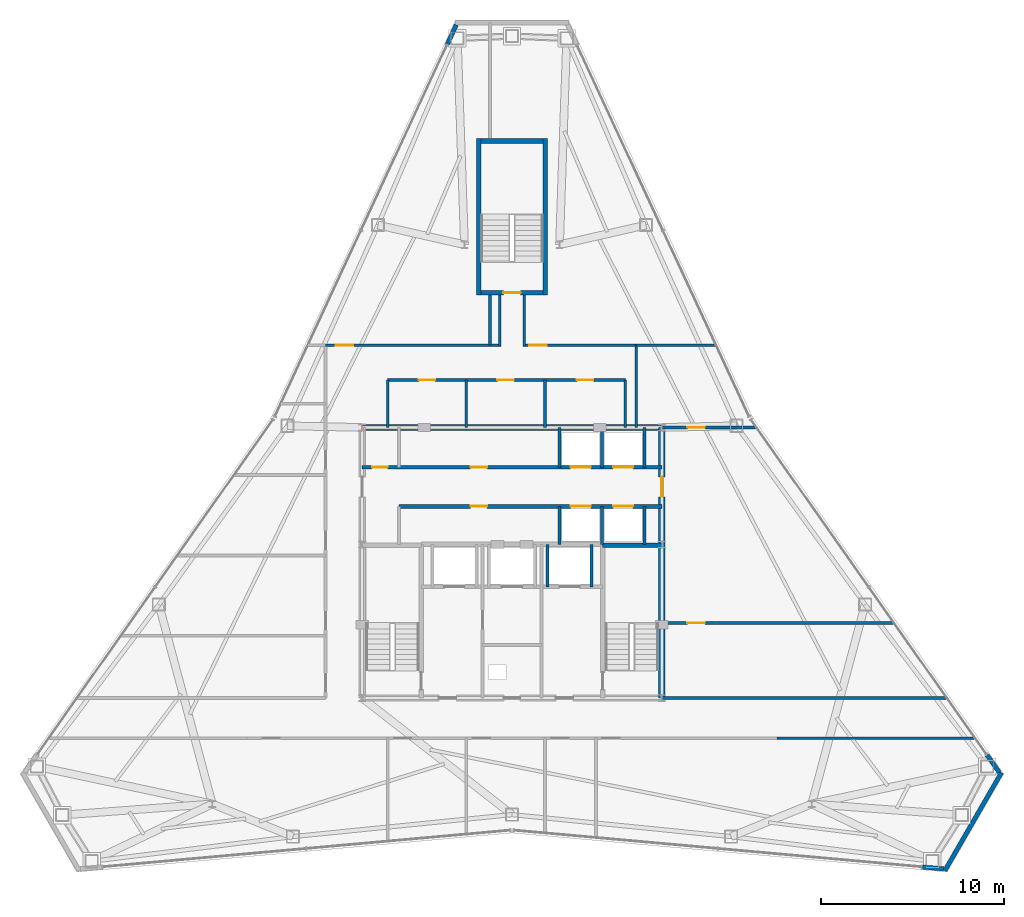
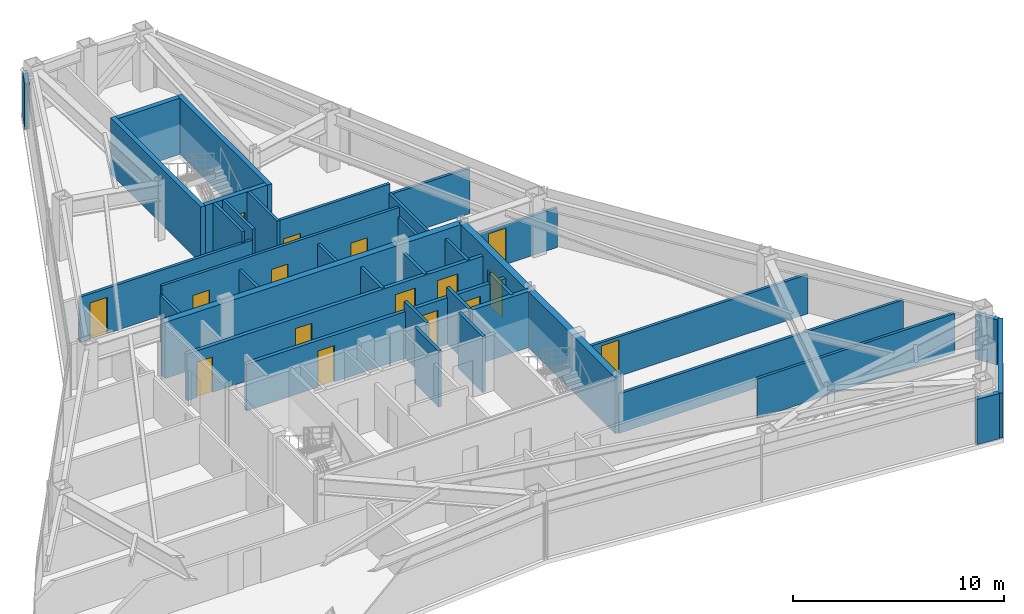
# One storey, part 10 of 12: 37 walls, 16 doors, 16 openings.
"""IFC4 building model written with IfcOpenShell, lengths in metres."""

from ifc_helpers import new_model, si_unit, direction, frame, frame_2d, origin, place, context, subcontext, project, spatial, rectangle, extrude, material, layer, layer_set, type_object, element, fill, save


model = new_model("IFC4")

# Units and contexts
model_context = context("Model", 3, precision=1e-05, world=origin(), true_north=direction((0.0, 1.0)))
body_context = subcontext(model_context, "Body", "Model", "MODEL_VIEW")
ifc_project = project(units=[si_unit("LENGTHUNIT", "METRE"), si_unit("AREAUNIT", "SQUARE_METRE"), si_unit("VOLUMEUNIT", "CUBIC_METRE"), si_unit("PLANEANGLEUNIT", "RADIAN"), si_unit("MASSUNIT", "GRAM", prefix="KILO")], contexts=[model_context])

# Site, building, storey
site_placement = place(None, origin())
site = spatial("IfcSite", under=ifc_project, at=site_placement, CompositionType="ELEMENT")
building_placement = place(site_placement, origin())
building = spatial("IfcBuilding", under=site, at=building_placement, Name="Varakhsha Concourse Tower", CompositionType="ELEMENT")
storey_placement = place(building_placement, frame((0.0, 0.0, 236.39990234375)))
storey = spatial("IfcBuildingStorey", under=building, at=storey_placement, Name="L67", CompositionType="ELEMENT", Elevation=236.39990234375)

# Wall
ifc_material_1 = material(Name="Concrete fc 65 MPa", Category="concrete")
ifc_layer_1 = layer(ifc_material_1, 0.35009765625, Name="WL-CORE-350")
ifc_layer_set_1 = layer_set([ifc_layer_1], Name="Concrete fc 65 MPa")
wall_type_1 = type_object("IfcWallType", Name="WL-CORE-350", PredefinedType="SHEAR", material=ifc_layer_set_1)
wall_1_placement = place(storey_placement, frame((31.800048828125, 31.199951171875, 0.0), z_axis=(0.0, 0.0, 1.0), x_axis=(1.0, 0.0, 0.0)))
element("IfcWall", 1, at=wall_1_placement, inside=storey, type_object=wall_type_1, Name="L67 Wall CWALL-N-L67", PredefinedType="SHEAR", context=body_context, shape_type="SweptSolid", body=[
    extrude(rectangle(XDim=16.39990234375, YDim=0.35009765625, at=frame_2d((8.199951171875, 0.0))), origin(), (0.0, 0.0, 1.0), 3.25),
])

# Wall, opening, door
wall_2_placement = place(storey_placement, frame((48.199951171875, 16.39990234375, 0.0), z_axis=(0.0, 0.0, 1.0), x_axis=(0.0, 1.0, 0.0)))
wall_2 = element("IfcWall", 2, at=wall_2_placement, inside=storey, type_object=wall_type_1, Name="L67 Wall CWALL-E-L67", PredefinedType="SHEAR", context=body_context, shape_type="SweptSolid", body=[
    extrude(rectangle(XDim=14.800048828125, YDim=0.35009765625, at=frame_2d((7.39990234375, 0.0))), origin(), (0.0, 0.0, 1.0), 3.25),
])
opening_1_placement = place(wall_2_placement, frame((11.0, 0.0, 0.0)))
opening_1 = element("IfcOpeningElement", 3, at=opening_1_placement, cuts=wall_2, Name="Opening DL-01", PredefinedType="OPENING", context=body_context, shape_type="SweptSolid", body=[
    extrude(rectangle(XDim=1.10009765625, YDim=2.14990234375, at=frame_2d((0.550048828125, 1.074951171875))), frame((0.0, 0.18505859375, 0.0), z_axis=(0.0, -1.0, 0.0), x_axis=(1.0, 0.0, 0.0)), (0.0, 0.0, 1.0), 0.3701171875),
])
ifc_material_2 = material(Name="Anodised Bronze Architectural Aluminium AA 6063-T6", Category="aluminium")
door_type_1 = type_object("IfcDoorType", Name="DR-LOB-1100", OperationType="NOTDEFINED", PredefinedType="DOOR", material=ifc_material_2)
door_1_placement = place(opening_1_placement, origin())
door_1 = element("IfcDoor", 4, at=door_1_placement, inside=storey, type_object=door_type_1, Name="L67 Lift Lobby East Concourse Door", OperationType="SINGLE_SWING_RIGHT", OverallHeight=2.14990234375, OverallWidth=1.10009765625, PredefinedType="DOOR", context=body_context, shape_type="SweptSolid", body=[
    extrude(rectangle(XDim=1.10009765625, YDim=2.14990234375, at=frame_2d((0.550048828125, 1.074951171875))), frame((0.0, 0.02490234375, 0.0), z_axis=(0.0, -1.0, 0.0), x_axis=(1.0, 0.0, 0.0)), (0.0, 0.0, 1.0), 0.050048828125),
])
fill(opening_1, door_1)

# Walls
ifc_material_3 = material(Name="Concrete fc 45 MPa", Category="concrete")
ifc_layer_2 = layer(ifc_material_3, 0.239990234375, Name="WL-EXT-CRN-240")
ifc_layer_set_2 = layer_set([ifc_layer_2], Name="Concrete fc 45 MPa")
wall_type_2 = type_object("IfcWallType", Name="WL-EXT-CRN-240", PredefinedType="SHEAR", material=ifc_layer_set_2)
for number, where, z_axis, x_axis, name in (
    (5, (36.95263671875, 53.23046875, 0.0), (0.0, 0.0, 1.0), (-0.420502996462, -0.907291149503, 0.0), "L67 Wind-Corner Shoulder Wall F2"),
    (6, (62.45458984375, 7.14990234375, 0.0), (0.0, 0.0, 1.0), (0.996005555759, -0.08929128119, 0.0), "L67 Wind-Corner Shoulder Wall F6"),
):
    element("IfcWall", number, at=place(storey_placement, frame(where, z_axis=z_axis, x_axis=x_axis)), inside=storey, type_object=wall_type_2, Name=name, PredefinedType="SHEAR", context=body_context, shape_type="SweptSolid", body=[
        extrude(rectangle(XDim=1.16748046875, YDim=0.239990234375, at=frame_2d((0.583740234375, 0.0))), origin(), (0.0, 0.0, 1.0), 2.623046875),
    ])
wall_3_placement = place(storey_placement, frame((66.78369140625, 12.31591796875, 0.0), z_axis=(0.0, 0.0, 1.0), x_axis=(-0.500009909098, -0.866019682689, 0.0)))
element("IfcWall", 7, at=wall_3_placement, inside=storey, type_object=wall_type_2, Name="L67 Chamfer Wind-Corner Insulated Wall F7", PredefinedType="SHEAR", context=body_context, shape_type="SweptSolid", body=[
    extrude(rectangle(XDim=6.199951171875, YDim=0.239990234375, at=frame_2d((3.10009765625, 0.0))), origin(), (0.0, 0.0, 1.0), 2.623046875),
])
wall_4_placement = place(storey_placement, frame((66.664794921875, 12.323974609375, 0.0), z_axis=(0.0, 0.0, 1.0), x_axis=(-0.575467507086, 0.817824643972, 0.0)))
element("IfcWall", 8, at=wall_4_placement, inside=storey, type_object=wall_type_2, Name="L67 Wind-Corner Shoulder Wall F8", PredefinedType="SHEAR", context=body_context, shape_type="SweptSolid", body=[
    extrude(rectangle(XDim=1.16748046875, YDim=0.239990234375, at=frame_2d((0.583740234375, 0.0))), origin(), (0.0, 0.0, 1.0), 2.623046875),
])

# Wall, openings, doors
ifc_material_4 = material(Name="Fire-Rated Type X Gypsum Partition Assembly", Category="gypsum")
ifc_layer_3 = layer(ifc_material_4, 0.14990234375, Name="WL-PART-150")
ifc_layer_set_3 = layer_set([ifc_layer_3], Name="Fire-Rated Type X Gypsum Partition Assembly")
wall_type_3 = type_object("IfcWallType", Name="WL-PART-150", PredefinedType="PARTITIONING", material=ifc_layer_set_3)
wall_5_placement = place(storey_placement, frame((33.199951171875, 33.800048828125, 0.0), z_axis=(0.0, 0.0, 1.0), x_axis=(1.0, 0.0, 0.0)))
wall_5 = element("IfcWall", 9, at=wall_5_placement, inside=storey, type_object=wall_type_3, Name="L67 Wall NBOH-N-L67", PredefinedType="PARTITIONING", context=body_context, shape_type="SweptSolid", body=[
    extrude(rectangle(XDim=13.0, YDim=0.14990234375, at=frame_2d((6.5, 0.0))), origin(), (0.0, 0.0, 1.0), 3.25),
])
opening_2_placement = place(wall_5_placement, frame((1.699951171875, 0.0, 0.0)))
opening_2 = element("IfcOpeningElement", 10, at=opening_2_placement, cuts=wall_5, Name="Opening DF-06", PredefinedType="OPENING", context=body_context, shape_type="SweptSolid", body=[
    extrude(rectangle(XDim=0.89990234375, YDim=2.10009765625, at=frame_2d((0.449951171875, 1.050048828125))), frame((0.0, 0.0849609375, 0.0), z_axis=(0.0, -1.0, 0.0), x_axis=(1.0, 0.0, 0.0)), (0.0, 0.0, 1.0), 0.169921875),
])
opening_3_placement = place(wall_5_placement, frame((6.0, 0.0, 0.0)))
opening_3 = element("IfcOpeningElement", 11, at=opening_3_placement, cuts=wall_5, Name="Opening DF-06", PredefinedType="OPENING", context=body_context, shape_type="SweptSolid", body=[
    extrude(rectangle(XDim=0.89990234375, YDim=2.10009765625, at=frame_2d((0.449951171875, 1.050048828125))), frame((0.0, 0.0849609375, 0.0), z_axis=(0.0, -1.0, 0.0), x_axis=(1.0, 0.0, 0.0)), (0.0, 0.0, 1.0), 0.169921875),
])
opening_4_placement = place(wall_5_placement, frame((10.35009765625, 0.0, 0.0)))
opening_4 = element("IfcOpeningElement", 12, at=opening_4_placement, cuts=wall_5, Name="Opening DF-06", PredefinedType="OPENING", context=body_context, shape_type="SweptSolid", body=[
    extrude(rectangle(XDim=0.89990234375, YDim=2.10009765625, at=frame_2d((0.449951171875, 1.050048828125))), frame((0.0, 0.0849609375, 0.0), z_axis=(0.0, -1.0, 0.0), x_axis=(1.0, 0.0, 0.0)), (0.0, 0.0, 1.0), 0.169921875),
])
ifc_material_5 = material(Name="Hollow Galvanised Steel Fire Door Assembly", Category="steel")
door_type_2 = type_object("IfcDoorType", Name="DR-FD60-900", OperationType="NOTDEFINED", PredefinedType="DOOR", material=ifc_material_5)
door_2_placement = place(opening_2_placement, origin())
door_2 = element("IfcDoor", 13, at=door_2_placement, inside=storey, type_object=door_type_2, Name="L67 Men Restroom WC Door", OperationType="SINGLE_SWING_LEFT", OverallHeight=2.10009765625, OverallWidth=0.89990234375, PredefinedType="DOOR", context=body_context, shape_type="SweptSolid", body=[
    extrude(rectangle(XDim=0.89990234375, YDim=2.10009765625, at=frame_2d((0.449951171875, 1.050048828125))), frame((0.0, 0.02490234375, 0.0), z_axis=(0.0, -1.0, 0.0), x_axis=(1.0, 0.0, 0.0)), (0.0, 0.0, 1.0), 0.050048828125),
])
fill(opening_2, door_2)
door_3_placement = place(opening_3_placement, origin())
door_3 = element("IfcDoor", 14, at=door_3_placement, inside=storey, type_object=door_type_2, Name="L67 Women Restroom WC Door", OperationType="SINGLE_SWING_RIGHT", OverallHeight=2.10009765625, OverallWidth=0.89990234375, PredefinedType="DOOR", context=body_context, shape_type="SweptSolid", body=[
    extrude(rectangle(XDim=0.89990234375, YDim=2.10009765625, at=frame_2d((0.449951171875, 1.050048828125))), frame((0.0, 0.02490234375, 0.0), z_axis=(0.0, -1.0, 0.0), x_axis=(1.0, 0.0, 0.0)), (0.0, 0.0, 1.0), 0.050048828125),
])
fill(opening_3, door_3)
door_4_placement = place(opening_4_placement, origin())
door_4 = element("IfcDoor", 15, at=door_4_placement, inside=storey, type_object=door_type_2, Name="L67 Accessible WC Door", OperationType="SINGLE_SWING_LEFT", OverallHeight=2.10009765625, OverallWidth=0.89990234375, PredefinedType="DOOR", context=body_context, shape_type="SweptSolid", body=[
    extrude(rectangle(XDim=0.89990234375, YDim=2.10009765625, at=frame_2d((0.449951171875, 1.050048828125))), frame((0.0, 0.02490234375, 0.0), z_axis=(0.0, -1.0, 0.0), x_axis=(1.0, 0.0, 0.0)), (0.0, 0.0, 1.0), 0.050048828125),
])
fill(opening_4, door_4)

# Walls
for number, where, z_axis, x_axis, name in (
    (16, (33.199951171875, 31.199951171875, 0.0), (0.0, 0.0, 1.0), (0.0, 1.0, 0.0), "L67 Wall NBOH-W-L67"),
    (17, (46.199951171875, 31.199951171875, 0.0), (0.0, 0.0, 1.0), (0.0, 1.0, 0.0), "L67 Wall NBOH-E-L67"),
    (18, (37.5, 31.199951171875, 0.0), (0.0, 0.0, 1.0), (0.0, 1.0, 0.0), "L67 Wall NBOH-D1-L67"),
    (19, (41.800048828125, 31.199951171875, 0.0), (0.0, 0.0, 1.0), (0.0, 1.0, 0.0), "L67 Wall NBOH-D2-L67"),
):
    element("IfcWall", number, at=place(storey_placement, frame(where, z_axis=z_axis, x_axis=x_axis)), inside=storey, type_object=wall_type_3, Name=name, PredefinedType="PARTITIONING", context=body_context, shape_type="SweptSolid", body=[
        extrude(rectangle(XDim=2.60009765625, YDim=0.14990234375, at=frame_2d((1.300048828125, 0.0))), origin(), (0.0, 0.0, 1.0), 2.705078125),
    ])
wall_6_placement = place(storey_placement, frame((54.5, 14.199951171875, 0.0), z_axis=(0.0, 0.0, 1.0), x_axis=(1.0, 0.0, 0.0)))
element("IfcWall", 20, at=wall_6_placement, inside=storey, type_object=wall_type_3, Name="L67 Wall CRW-SGAL-SE-L67", PredefinedType="PARTITIONING", context=body_context, shape_type="SweptSolid", body=[
    extrude(rectangle(XDim=10.838623046875, YDim=0.14990234375, at=frame_2d((5.41943359375, 0.0))), origin(), (0.0, 0.0, 1.0), 2.2919921875),
])
wall_7_placement = place(storey_placement, frame((48.199951171875, 16.39990234375, 0.0), z_axis=(0.0, 0.0, 1.0), x_axis=(1.0, 0.0, 0.0)))
element("IfcWall", 21, at=wall_7_placement, inside=storey, type_object=wall_type_3, Name="L67 Wall CRW-SGAL-NE-L67", PredefinedType="PARTITIONING", context=body_context, shape_type="SweptSolid", body=[
    extrude(rectangle(XDim=15.590576171875, YDim=0.14990234375, at=frame_2d((7.79541015625, 0.0))), origin(), (0.0, 0.0, 1.0), 2.2919921875),
])

# Wall, opening, door
wall_8_placement = place(storey_placement, frame((29.800048828125, 35.699951171875, 0.0), z_axis=(0.0, 0.0, 1.0), x_axis=(1.0, 0.0, 0.0)))
wall_8 = element("IfcWall", 22, at=wall_8_placement, inside=storey, type_object=wall_type_3, Name="L67 Wall CRW-N-L67", PredefinedType="PARTITIONING", context=body_context, shape_type="SweptSolid", body=[
    extrude(rectangle(XDim=9.449951171875, YDim=0.14990234375, at=frame_2d((4.72509765625, 0.0))), origin(), (0.0, 0.0, 1.0), 2.628173828125),
])
opening_5_placement = place(wall_8_placement, frame((0.550048828125, 0.0, 0.0)))
opening_5 = element("IfcOpeningElement", 23, at=opening_5_placement, cuts=wall_8, Name="Opening DF-05", PredefinedType="OPENING", context=body_context, shape_type="SweptSolid", body=[
    extrude(rectangle(XDim=0.949951171875, YDim=2.10009765625, at=frame_2d((0.47509765625, 1.050048828125))), frame((0.0, 0.0849609375, 0.0), z_axis=(0.0, -1.0, 0.0), x_axis=(1.0, 0.0, 0.0)), (0.0, 0.0, 1.0), 0.169921875),
])
door_type_3 = type_object("IfcDoorType", Name="DR-FD60-950", OperationType="NOTDEFINED", PredefinedType="DOOR", material=ifc_material_5)
door_5_placement = place(opening_5_placement, origin())
door_5 = element("IfcDoor", 24, at=door_5_placement, inside=storey, type_object=door_type_3, Name="L67 Mountain View Deposition Conference Room L67-N1 Door", OperationType="SINGLE_SWING_LEFT", OverallHeight=2.10009765625, OverallWidth=0.949951171875, PredefinedType="DOOR", context=body_context, shape_type="SweptSolid", body=[
    extrude(rectangle(XDim=0.949951171875, YDim=2.10009765625, at=frame_2d((0.47509765625, 1.050048828125))), frame((0.0, 0.02490234375, 0.0), z_axis=(0.0, -1.0, 0.0), x_axis=(1.0, 0.0, 0.0)), (0.0, 0.0, 1.0), 0.050048828125),
])
fill(opening_5, door_5)

wall_9_placement = place(storey_placement, frame((40.75, 35.699951171875, 0.0), z_axis=(0.0, 0.0, 1.0), x_axis=(1.0, 0.0, 0.0)))
wall_9 = element("IfcWall", 25, at=wall_9_placement, inside=storey, type_object=wall_type_3, Name="L67 Wall CRW-N-L67-B", PredefinedType="PARTITIONING", context=body_context, shape_type="SweptSolid", body=[
    extrude(rectangle(XDim=6.050048828125, YDim=0.14990234375, at=frame_2d((3.02490234375, 0.0))), origin(), (0.0, 0.0, 1.0), 3.25),
])
opening_6_placement = place(wall_9_placement, frame((0.199951171875, 0.0, 0.0)))
opening_6 = element("IfcOpeningElement", 26, at=opening_6_placement, cuts=wall_9, Name="Opening DF-05", PredefinedType="OPENING", context=body_context, shape_type="SweptSolid", body=[
    extrude(rectangle(XDim=0.949951171875, YDim=2.10009765625, at=frame_2d((0.47509765625, 1.050048828125))), frame((0.0, 0.0849609375, 0.0), z_axis=(0.0, -1.0, 0.0), x_axis=(1.0, 0.0, 0.0)), (0.0, 0.0, 1.0), 0.169921875),
])
door_6_placement = place(opening_6_placement, origin())
door_6 = element("IfcDoor", 27, at=door_6_placement, inside=storey, type_object=door_type_3, Name="L67 North Senior Partner Chamber L67-N2 Door", OperationType="SINGLE_SWING_RIGHT", OverallHeight=2.10009765625, OverallWidth=0.949951171875, PredefinedType="DOOR", context=body_context, shape_type="SweptSolid", body=[
    extrude(rectangle(XDim=0.949951171875, YDim=2.10009765625, at=frame_2d((0.47509765625, 1.050048828125))), frame((0.0, 0.02490234375, 0.0), z_axis=(0.0, -1.0, 0.0), x_axis=(1.0, 0.0, 0.0)), (0.0, 0.0, 1.0), 0.050048828125),
])
fill(opening_6, door_6)

# Walls
wall_10_placement = place(storey_placement, frame((46.800048828125, 31.199951171875, 0.0), z_axis=(0.0, 0.0, 1.0), x_axis=(0.0, 1.0, 0.0)))
element("IfcWall", 28, at=wall_10_placement, inside=storey, type_object=wall_type_3, Name="L67 Wall CRW-NE-L67", PredefinedType="PARTITIONING", context=body_context, shape_type="SweptSolid", body=[
    extrude(rectangle(XDim=4.5, YDim=0.14990234375, at=frame_2d((2.25, 0.0))), origin(), (0.0, 0.0, 1.0), 2.705078125),
])
wall_11_placement = place(storey_placement, frame((46.800048828125, 35.699951171875, 0.0), z_axis=(0.0, 0.0, 1.0), x_axis=(1.0, 0.0, 0.0)))
element("IfcWall", 29, at=wall_11_placement, inside=storey, type_object=wall_type_3, Name="L67 Wall ODIV-EBN-L67", PredefinedType="PARTITIONING", context=body_context, shape_type="SweptSolid", body=[
    extrude(rectangle(XDim=4.36767578125, YDim=0.14990234375, at=frame_2d((2.183837890625, 0.0))), origin(), (0.0, 0.0, 1.0), 2.628173828125),
])

# Wall, opening, door
wall_12_placement = place(storey_placement, frame((48.199951171875, 20.5, 0.0), z_axis=(0.0, 0.0, 1.0), x_axis=(1.0, 0.0, 0.0)))
wall_12 = element("IfcWall", 30, at=wall_12_placement, inside=storey, type_object=wall_type_3, Name="L67 Wall ODIV-E1-L67", PredefinedType="PARTITIONING", context=body_context, shape_type="SweptSolid", body=[
    extrude(rectangle(XDim=12.705810546875, YDim=0.14990234375, at=frame_2d((6.35302734375, 0.0))), origin(), (0.0, 0.0, 1.0), 2.2919921875),
])
opening_7_placement = place(wall_12_placement, frame((1.39990234375, 0.0, 0.0)))
opening_7 = element("IfcOpeningElement", 31, at=opening_7_placement, cuts=wall_12, Name="Opening DF-05", PredefinedType="OPENING", context=body_context, shape_type="SweptSolid", body=[
    extrude(rectangle(XDim=0.949951171875, YDim=2.10009765625, at=frame_2d((0.47509765625, 1.050048828125))), frame((0.0, 0.0849609375, 0.0), z_axis=(0.0, -1.0, 0.0), x_axis=(1.0, 0.0, 0.0)), (0.0, 0.0, 1.0), 0.169921875),
])
door_7_placement = place(opening_7_placement, origin())
door_7 = element("IfcDoor", 32, at=door_7_placement, inside=storey, type_object=door_type_3, Name="L67 East Suite Interconnect Door 1", OperationType="SINGLE_SWING_LEFT", OverallHeight=2.10009765625, OverallWidth=0.949951171875, PredefinedType="DOOR", context=body_context, shape_type="SweptSolid", body=[
    extrude(rectangle(XDim=0.949951171875, YDim=2.10009765625, at=frame_2d((0.47509765625, 1.050048828125))), frame((0.0, 0.02490234375, 0.0), z_axis=(0.0, -1.0, 0.0), x_axis=(1.0, 0.0, 0.0)), (0.0, 0.0, 1.0), 0.050048828125),
])
fill(opening_7, door_7)

wall_13_placement = place(storey_placement, frame((48.199951171875, 31.199951171875, 0.0), z_axis=(0.0, 0.0, 1.0), x_axis=(1.0, 0.0, 0.0)))
wall_13 = element("IfcWall", 33, at=wall_13_placement, inside=storey, type_object=wall_type_3, Name="L67 Wall ODIV-E2-L67", PredefinedType="PARTITIONING", context=body_context, shape_type="SweptSolid", body=[
    extrude(rectangle(XDim=5.17724609375, YDim=0.14990234375, at=frame_2d((2.588623046875, 0.0))), origin(), (0.0, 0.0, 1.0), 2.2919921875),
])
opening_8_placement = place(wall_13_placement, frame((1.39990234375, 0.0, 0.0)))
opening_8 = element("IfcOpeningElement", 34, at=opening_8_placement, cuts=wall_13, Name="Opening DF-05", PredefinedType="OPENING", context=body_context, shape_type="SweptSolid", body=[
    extrude(rectangle(XDim=0.949951171875, YDim=2.10009765625, at=frame_2d((0.47509765625, 1.050048828125))), frame((0.0, 0.0849609375, 0.0), z_axis=(0.0, -1.0, 0.0), x_axis=(1.0, 0.0, 0.0)), (0.0, 0.0, 1.0), 0.169921875),
])
door_8_placement = place(opening_8_placement, origin())
door_8 = element("IfcDoor", 35, at=door_8_placement, inside=storey, type_object=door_type_3, Name="L67 East Suite Interconnect Door 2", OperationType="SINGLE_SWING_RIGHT", OverallHeight=2.10009765625, OverallWidth=0.949951171875, PredefinedType="DOOR", context=body_context, shape_type="SweptSolid", body=[
    extrude(rectangle(XDim=0.949951171875, YDim=2.10009765625, at=frame_2d((0.47509765625, 1.050048828125))), frame((0.0, 0.02490234375, 0.0), z_axis=(0.0, -1.0, 0.0), x_axis=(1.0, 0.0, 0.0)), (0.0, 0.0, 1.0), 0.050048828125),
])
fill(opening_8, door_8)

# Walls
wall_14_placement = place(storey_placement, frame((38.800048828125, 35.699951171875, 0.0), z_axis=(0.0, 0.0, 1.0), x_axis=(0.0, 1.0, 0.0)))
element("IfcWall", 36, at=wall_14_placement, inside=storey, type_object=wall_type_3, Name="L67 Wall ODIV-N1-L67", PredefinedType="PARTITIONING", context=body_context, shape_type="SweptSolid", body=[
    extrude(rectangle(XDim=2.75, YDim=0.14990234375, at=frame_2d((1.375, 0.0))), origin(), (0.0, 0.0, 1.0), 3.25),
])
for number, where, z_axis, x_axis, name in (
    (37, (39.324951171875, 35.625, 0.0), (0.0, 0.0, 1.0), (0.0, 1.0, 0.0), "L67 Wall STUB-W-L67"),
    (38, (40.675048828125, 35.625, 0.0), (0.0, 0.0, 1.0), (0.0, 1.0, 0.0), "L67 Wall STUB-E-L67"),
):
    element("IfcWall", number, at=place(storey_placement, frame(where, z_axis=z_axis, x_axis=x_axis)), inside=storey, type_object=wall_type_3, Name=name, PredefinedType="PARTITIONING", context=body_context, shape_type="SweptSolid", body=[
        extrude(rectangle(XDim=2.824951171875, YDim=0.14990234375, at=frame_2d((1.41259765625, 0.0))), origin(), (0.0, 0.0, 1.0), 3.25),
    ])
ifc_layer_4 = layer(ifc_material_4, 0.199951171875, Name="WL-SHAFT-220")
ifc_layer_set_4 = layer_set([ifc_layer_4], Name="Fire-Rated Type X Gypsum Partition Assembly")
wall_type_4 = type_object("IfcWallType", Name="WL-SHAFT-220", PredefinedType="SOLIDWALL", material=ifc_layer_set_4)
for number, where, z_axis, x_axis, name in (
    (39, (41.949951171875, 22.47998046875, 0.0), (0.0, 0.0, 1.0), (0.0, 1.0, 0.0), "L67 Wall SHW-FFL-2-W-L67"),
    (40, (44.35009765625, 22.47998046875, 0.0), (0.0, 0.0, 1.0), (0.0, 1.0, 0.0), "L67 Wall SHW-FFL-2-E-L67"),
):
    element("IfcWall", number, at=place(storey_placement, frame(where, z_axis=z_axis, x_axis=x_axis)), inside=storey, type_object=wall_type_4, Name=name, PredefinedType="SOLIDWALL", context=body_context, shape_type="SweptSolid", body=[
        extrude(rectangle(XDim=2.320068359375, YDim=0.159912109375, at=frame_2d((1.16015625, 0.0))), origin(), (0.0, 0.0, 1.0), 3.25),
    ])

# Wall, openings, doors
wall_15_placement = place(storey_placement, frame((31.800048828125, 29.02001953125, 0.0), z_axis=(0.0, 0.0, 1.0), x_axis=(1.0, 0.0, 0.0)))
wall_15 = element("IfcWall", 41, at=wall_15_placement, inside=storey, type_object=wall_type_4, Name="L67 Wall PLW-N-L67", PredefinedType="SOLIDWALL", context=body_context, shape_type="SweptSolid", body=[
    extrude(rectangle(XDim=16.39990234375, YDim=0.199951171875, at=frame_2d((8.199951171875, 0.0))), origin(), (0.0, 0.0, 1.0), 2.705078125),
])
opening_9_placement = place(wall_15_placement, frame((0.550048828125, 0.0, 0.0)))
opening_9 = element("IfcOpeningElement", 42, at=opening_9_placement, cuts=wall_15, Name="Opening DF-07", PredefinedType="OPENING", context=body_context, shape_type="SweptSolid", body=[
    extrude(rectangle(XDim=0.85009765625, YDim=2.050048828125, at=frame_2d((0.425048828125, 1.02490234375))), frame((0.0, 0.10986328125, 0.0), z_axis=(0.0, -1.0, 0.0), x_axis=(1.0, 0.0, 0.0)), (0.0, 0.0, 1.0), 0.219970703125),
])
opening_10_placement = place(wall_15_placement, frame((5.93994140625, 0.0, 0.0)))
opening_10 = element("IfcOpeningElement", 43, at=opening_10_placement, cuts=wall_15, Name="Opening DF-06", PredefinedType="OPENING", context=body_context, shape_type="SweptSolid", body=[
    extrude(rectangle(XDim=0.89990234375, YDim=2.10009765625, at=frame_2d((0.449951171875, 1.050048828125))), frame((0.0, 0.10986328125, 0.0), z_axis=(0.0, -1.0, 0.0), x_axis=(1.0, 0.0, 0.0)), (0.0, 0.0, 1.0), 0.219970703125),
])
opening_11_placement = place(wall_15_placement, frame((11.409912109375, 0.0, 0.0)))
opening_11 = element("IfcOpeningElement", 44, at=opening_11_placement, cuts=wall_15, Name="Opening LD-LF-P09", PredefinedType="OPENING", context=body_context, shape_type="SweptSolid", body=[
    extrude(rectangle(XDim=1.10009765625, YDim=2.14990234375, at=frame_2d((0.550048828125, 1.074951171875))), frame((0.0, 0.10986328125, 0.0), z_axis=(0.0, -1.0, 0.0), x_axis=(1.0, 0.0, 0.0)), (0.0, 0.0, 1.0), 0.219970703125),
])
opening_12_placement = place(wall_15_placement, frame((13.72998046875, 0.0, 0.0)))
opening_12 = element("IfcOpeningElement", 45, at=opening_12_placement, cuts=wall_15, Name="Opening LD-LF-P10", PredefinedType="OPENING", context=body_context, shape_type="SweptSolid", body=[
    extrude(rectangle(XDim=1.10009765625, YDim=2.14990234375, at=frame_2d((0.550048828125, 1.074951171875))), frame((0.0, 0.10986328125, 0.0), z_axis=(0.0, -1.0, 0.0), x_axis=(1.0, 0.0, 0.0)), (0.0, 0.0, 1.0), 0.219970703125),
])
door_type_4 = type_object("IfcDoorType", Name="DR-FD60-850", OperationType="NOTDEFINED", PredefinedType="DOOR", material=ifc_material_5)
door_9_placement = place(opening_9_placement, origin())
door_9 = element("IfcDoor", 46, at=door_9_placement, inside=storey, type_object=door_type_4, Name="L67 Core Janitor Closet Door", OperationType="SINGLE_SWING_LEFT", OverallHeight=2.050048828125, OverallWidth=0.85009765625, PredefinedType="DOOR", context=body_context, shape_type="SweptSolid", body=[
    extrude(rectangle(XDim=0.85009765625, YDim=2.050048828125, at=frame_2d((0.425048828125, 1.02490234375))), frame((0.0, 0.02490234375, 0.0), z_axis=(0.0, -1.0, 0.0), x_axis=(1.0, 0.0, 0.0)), (0.0, 0.0, 1.0), 0.050048828125),
])
fill(opening_9, door_9)
door_10_placement = place(opening_10_placement, origin())
door_10 = element("IfcDoor", 47, at=door_10_placement, inside=storey, type_object=door_type_2, Name="L67 Tenant Archive and IT Server Room Door", OperationType="SINGLE_SWING_LEFT", OverallHeight=2.10009765625, OverallWidth=0.89990234375, PredefinedType="DOOR", context=body_context, shape_type="SweptSolid", body=[
    extrude(rectangle(XDim=0.89990234375, YDim=2.10009765625, at=frame_2d((0.449951171875, 1.050048828125))), frame((0.0, 0.02490234375, 0.0), z_axis=(0.0, -1.0, 0.0), x_axis=(1.0, 0.0, 0.0)), (0.0, 0.0, 1.0), 0.050048828125),
])
fill(opening_10, door_10)
ifc_material_6 = material(Name="Brushed Austenitic Stainless Steel AISI 316", Category="steel")
door_type_5 = type_object("IfcDoorType", Name="DR-LD-1100", OperationType="DOUBLE_DOOR_SLIDING", PredefinedType="DOOR", material=ifc_material_6)
door_11_placement = place(opening_11_placement, origin())
door_11 = element("IfcDoor", 48, at=door_11_placement, inside=storey, type_object=door_type_5, Name="Lift Landing Door LF-P09 L67", OperationType="DOUBLE_DOOR_SLIDING", OverallHeight=2.14990234375, OverallWidth=1.10009765625, PredefinedType="DOOR", context=body_context, shape_type="SweptSolid", body=[
    extrude(rectangle(XDim=1.10009765625, YDim=2.14990234375, at=frame_2d((0.550048828125, 1.074951171875))), frame((0.0, 0.02490234375, 0.0), z_axis=(0.0, -1.0, 0.0), x_axis=(1.0, 0.0, 0.0)), (0.0, 0.0, 1.0), 0.050048828125),
])
fill(opening_11, door_11)
door_12_placement = place(opening_12_placement, origin())
door_12 = element("IfcDoor", 49, at=door_12_placement, inside=storey, type_object=door_type_5, Name="Lift Landing Door LF-P10 L67", OperationType="DOUBLE_DOOR_SLIDING", OverallHeight=2.14990234375, OverallWidth=1.10009765625, PredefinedType="DOOR", context=body_context, shape_type="SweptSolid", body=[
    extrude(rectangle(XDim=1.10009765625, YDim=2.14990234375, at=frame_2d((0.550048828125, 1.074951171875))), frame((0.0, 0.02490234375, 0.0), z_axis=(0.0, -1.0, 0.0), x_axis=(1.0, 0.0, 0.0)), (0.0, 0.0, 1.0), 0.050048828125),
])
fill(opening_12, door_12)

wall_16_placement = place(storey_placement, frame((33.820068359375, 26.8798828125, 0.0), z_axis=(0.0, 0.0, 1.0), x_axis=(1.0, 0.0, 0.0)))
wall_16 = element("IfcWall", 50, at=wall_16_placement, inside=storey, type_object=wall_type_4, Name="L67 Wall PLW-S-L67", PredefinedType="SOLIDWALL", context=body_context, shape_type="SweptSolid", body=[
    extrude(rectangle(XDim=14.3798828125, YDim=0.199951171875, at=frame_2d((7.18994140625, 0.0))), origin(), (0.0, 0.0, 1.0), 2.705078125),
])
opening_13_placement = place(wall_16_placement, frame((3.919921875, 0.0, 0.0)))
opening_13 = element("IfcOpeningElement", 51, at=opening_13_placement, cuts=wall_16, Name="Opening DF-06", PredefinedType="OPENING", context=body_context, shape_type="SweptSolid", body=[
    extrude(rectangle(XDim=0.89990234375, YDim=2.10009765625, at=frame_2d((0.449951171875, 1.050048828125))), frame((0.0, 0.10986328125, 0.0), z_axis=(0.0, -1.0, 0.0), x_axis=(1.0, 0.0, 0.0)), (0.0, 0.0, 1.0), 0.219970703125),
])
opening_14_placement = place(wall_16_placement, frame((9.389892578125, 0.0, 0.0)))
opening_14 = element("IfcOpeningElement", 52, at=opening_14_placement, cuts=wall_16, Name="Opening LD-LF-P11", PredefinedType="OPENING", context=body_context, shape_type="SweptSolid", body=[
    extrude(rectangle(XDim=1.10009765625, YDim=2.14990234375, at=frame_2d((0.550048828125, 1.074951171875))), frame((0.0, 0.10986328125, 0.0), z_axis=(0.0, -1.0, 0.0), x_axis=(1.0, 0.0, 0.0)), (0.0, 0.0, 1.0), 0.219970703125),
])
opening_15_placement = place(wall_16_placement, frame((11.7099609375, 0.0, 0.0)))
opening_15 = element("IfcOpeningElement", 53, at=opening_15_placement, cuts=wall_16, Name="Opening LD-LF-P12", PredefinedType="OPENING", context=body_context, shape_type="SweptSolid", body=[
    extrude(rectangle(XDim=1.10009765625, YDim=2.14990234375, at=frame_2d((0.550048828125, 1.074951171875))), frame((0.0, 0.10986328125, 0.0), z_axis=(0.0, -1.0, 0.0), x_axis=(1.0, 0.0, 0.0)), (0.0, 0.0, 1.0), 0.219970703125),
])
door_13_placement = place(opening_13_placement, origin())
door_13 = element("IfcDoor", 54, at=door_13_placement, inside=storey, type_object=door_type_2, Name="L67 Executive Pantry and Copy Suite Door", OperationType="SINGLE_SWING_RIGHT", OverallHeight=2.10009765625, OverallWidth=0.89990234375, PredefinedType="DOOR", context=body_context, shape_type="SweptSolid", body=[
    extrude(rectangle(XDim=0.89990234375, YDim=2.10009765625, at=frame_2d((0.449951171875, 1.050048828125))), frame((0.0, 0.02490234375, 0.0), z_axis=(0.0, -1.0, 0.0), x_axis=(1.0, 0.0, 0.0)), (0.0, 0.0, 1.0), 0.050048828125),
])
fill(opening_13, door_13)
door_14_placement = place(opening_14_placement, origin())
door_14 = element("IfcDoor", 55, at=door_14_placement, inside=storey, type_object=door_type_5, Name="Lift Landing Door LF-P11 L67", OperationType="DOUBLE_DOOR_SLIDING", OverallHeight=2.14990234375, OverallWidth=1.10009765625, PredefinedType="DOOR", context=body_context, shape_type="SweptSolid", body=[
    extrude(rectangle(XDim=1.10009765625, YDim=2.14990234375, at=frame_2d((0.550048828125, 1.074951171875))), frame((0.0, 0.02490234375, 0.0), z_axis=(0.0, -1.0, 0.0), x_axis=(1.0, 0.0, 0.0)), (0.0, 0.0, 1.0), 0.050048828125),
])
fill(opening_14, door_14)
door_15_placement = place(opening_15_placement, origin())
door_15 = element("IfcDoor", 56, at=door_15_placement, inside=storey, type_object=door_type_5, Name="Lift Landing Door LF-P12 L67", OperationType="DOUBLE_DOOR_SLIDING", OverallHeight=2.14990234375, OverallWidth=1.10009765625, PredefinedType="DOOR", context=body_context, shape_type="SweptSolid", body=[
    extrude(rectangle(XDim=1.10009765625, YDim=2.14990234375, at=frame_2d((0.550048828125, 1.074951171875))), frame((0.0, 0.02490234375, 0.0), z_axis=(0.0, -1.0, 0.0), x_axis=(1.0, 0.0, 0.0)), (0.0, 0.0, 1.0), 0.050048828125),
])
fill(opening_15, door_15)

# Walls
for number, where, z_axis, x_axis, name in (
    (57, (42.60009765625, 29.02001953125, 0.0), (0.0, 0.0, 1.0), (0.0, 1.0, 0.0), "L67 Wall SHW-LF-P09-W-L67"),
    (58, (44.919921875, 29.02001953125, 0.0), (0.0, 0.0, 1.0), (0.0, 1.0, 0.0), "L67 Wall SHW-LF-P09-E-L67"),
    (59, (47.239990234375, 29.02001953125, 0.0), (0.0, 0.0, 1.0), (0.0, 1.0, 0.0), "L67 Wall SHW-LF-P10-E-L67"),
):
    element("IfcWall", number, at=place(storey_placement, frame(where, z_axis=z_axis, x_axis=x_axis)), inside=storey, type_object=wall_type_4, Name=name, PredefinedType="SOLIDWALL", context=body_context, shape_type="SweptSolid", body=[
        extrude(rectangle(XDim=2.179931640625, YDim=0.159912109375, at=frame_2d((1.08984375, 0.0))), origin(), (0.0, 0.0, 1.0), 2.705078125),
    ])
for number, where, z_axis, x_axis, name in (
    (60, (42.60009765625, 24.800048828125, 0.0), (0.0, 0.0, 1.0), (0.0, 1.0, 0.0), "L67 Wall SHW-LF-P11-W-L67"),
    (61, (44.919921875, 24.800048828125, 0.0), (0.0, 0.0, 1.0), (0.0, 1.0, 0.0), "L67 Wall SHW-LF-P11-E-L67"),
    (62, (47.239990234375, 24.800048828125, 0.0), (0.0, 0.0, 1.0), (0.0, 1.0, 0.0), "L67 Wall SHW-LF-P12-E-L67"),
):
    element("IfcWall", number, at=place(storey_placement, frame(where, z_axis=z_axis, x_axis=x_axis)), inside=storey, type_object=wall_type_4, Name=name, PredefinedType="SOLIDWALL", context=body_context, shape_type="SweptSolid", body=[
        extrude(rectangle(XDim=2.079833984375, YDim=0.159912109375, at=frame_2d((1.0400390625, 0.0))), origin(), (0.0, 0.0, 1.0), 3.25),
    ])
ifc_layer_5 = layer(ifc_material_3, 0.25, Name="WL-STAIR-250")
ifc_layer_set_5 = layer_set([ifc_layer_5], Name="Concrete fc 45 MPa")
wall_type_5 = type_object("IfcWallType", Name="WL-STAIR-250", PredefinedType="SHEAR", material=ifc_layer_set_5)
wall_17_placement = place(storey_placement, frame((44.955078125, 24.7548828125, 0.0), z_axis=(0.0, 0.0, 1.0), x_axis=(1.0, 0.0, 0.0)))
element("IfcWall", 63, at=wall_17_placement, inside=storey, type_object=wall_type_5, Name="L67 Wall SWALL-ST2-N-L67", PredefinedType="SHEAR", context=body_context, shape_type="SweptSolid", body=[
    extrude(rectangle(XDim=3.244873046875, YDim=0.25, at=frame_2d((1.62255859375, 0.0))), origin(), (0.0, 0.0, 1.0), 3.25),
])
for number, where, z_axis, x_axis, name in (
    (64, (38.175048828125, 38.449951171875, 0.0), (0.0, 0.0, 1.0), (0.0, 1.0, 0.0), "L67 Wall SWALL-ST5-W-L67"),
    (65, (41.824951171875, 38.449951171875, 0.0), (0.0, 0.0, 1.0), (0.0, 1.0, 0.0), "L67 Wall SWALL-ST5-E-L67"),
):
    element("IfcWall", number, at=place(storey_placement, frame(where, z_axis=z_axis, x_axis=x_axis)), inside=storey, type_object=wall_type_5, Name=name, PredefinedType="SHEAR", context=body_context, shape_type="SweptSolid", body=[
        extrude(rectangle(XDim=8.550048828125, YDim=0.25, at=frame_2d((4.27490234375, 0.0))), origin(), (0.0, 0.0, 1.0), 3.25),
    ])

# Wall, opening, door
wall_18_placement = place(storey_placement, frame((38.300048828125, 38.574951171875, 0.0), z_axis=(0.0, 0.0, 1.0), x_axis=(1.0, 0.0, 0.0)))
wall_18 = element("IfcWall", 66, at=wall_18_placement, inside=storey, type_object=wall_type_5, Name="L67 Wall SWALL-ST5-S-L67", PredefinedType="SHEAR", context=body_context, shape_type="SweptSolid", body=[
    extrude(rectangle(XDim=3.39990234375, YDim=0.25, at=frame_2d((1.699951171875, 0.0))), origin(), (0.0, 0.0, 1.0), 3.25),
])
opening_16_placement = place(wall_18_placement, frame((1.22509765625, 0.0, 0.0)))
opening_16 = element("IfcOpeningElement", 67, at=opening_16_placement, cuts=wall_18, Name="Opening DF-03", PredefinedType="OPENING", context=body_context, shape_type="SweptSolid", body=[
    extrude(rectangle(XDim=0.949951171875, YDim=2.10009765625, at=frame_2d((0.47509765625, 1.050048828125))), frame((0.0, 0.135009765625, 0.0), z_axis=(0.0, -1.0, 0.0), x_axis=(1.0, 0.0, 0.0)), (0.0, 0.0, 1.0), 0.27001953125),
])
door_type_6 = type_object("IfcDoorType", Name="DR-FD90-950", OperationType="NOTDEFINED", PredefinedType="DOOR", material=ifc_material_5)
door_16_placement = place(opening_16_placement, origin())
door_16 = element("IfcDoor", 68, at=door_16_placement, inside=storey, type_object=door_type_6, Name="L67 Stair ST5 Fire Door", OperationType="SINGLE_SWING_RIGHT", OverallHeight=2.10009765625, OverallWidth=0.949951171875, PredefinedType="DOOR", context=body_context, shape_type="SweptSolid", body=[
    extrude(rectangle(XDim=0.949951171875, YDim=2.10009765625, at=frame_2d((0.47509765625, 1.050048828125))), frame((0.0, 0.02490234375, 0.0), z_axis=(0.0, -1.0, 0.0), x_axis=(1.0, 0.0, 0.0)), (0.0, 0.0, 1.0), 0.050048828125),
])
fill(opening_16, door_16)

# Wall
wall_19_placement = place(storey_placement, frame((38.300048828125, 46.875, 0.0), z_axis=(0.0, 0.0, 1.0), x_axis=(1.0, 0.0, 0.0)))
element("IfcWall", 69, at=wall_19_placement, inside=storey, type_object=wall_type_5, Name="L67 Wall SWALL-ST5-N-L67", PredefinedType="SHEAR", context=body_context, shape_type="SweptSolid", body=[
    extrude(rectangle(XDim=3.39990234375, YDim=0.25, at=frame_2d((1.699951171875, 0.0))), origin(), (0.0, 0.0, 1.0), 3.25),
])

save(model, "model.ifc")
